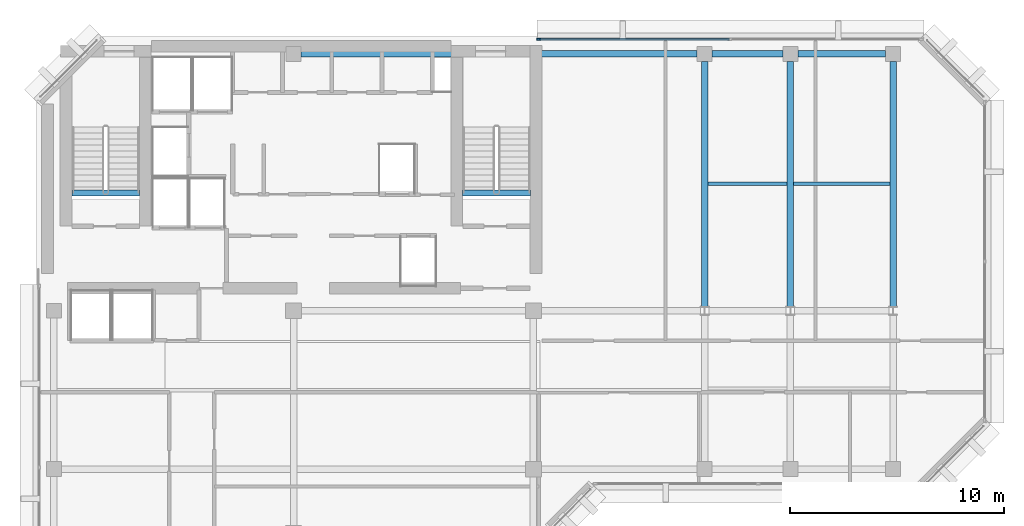
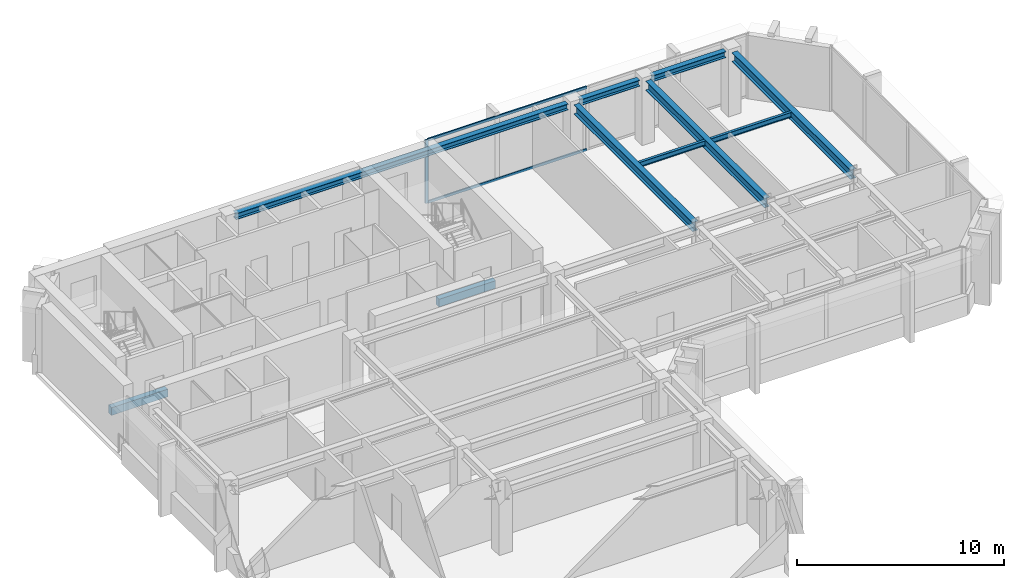
# One storey, part 4 of 12: 10 beams, 3 members, 1 element without a shape of its own.
"""IFC4 building model written with IfcOpenShell, lengths in metres."""

from ifc_helpers import new_model, si_unit, direction, frame, origin, origin_2d, place, context, subcontext, project, spatial, rectangle, i_section, extrude, material, layer, layer_set, material_profile, profile_set, type_object, element, aggregate, save


model = new_model("IFC4")

# Units and contexts
model_context = context("Model", 3, precision=1e-05, world=origin(), true_north=direction((0.0, 1.0)))
body_context = subcontext(model_context, "Body", "Model", "MODEL_VIEW")
ifc_project = project(units=[si_unit("LENGTHUNIT", "METRE"), si_unit("AREAUNIT", "SQUARE_METRE"), si_unit("VOLUMEUNIT", "CUBIC_METRE"), si_unit("PLANEANGLEUNIT", "RADIAN"), si_unit("MASSUNIT", "GRAM", prefix="KILO")], contexts=[model_context])

# Site, building, storey
site_placement = place(None, origin())
site = spatial("IfcSite", under=ifc_project, at=site_placement, CompositionType="ELEMENT")
building_placement = place(site_placement, origin())
building = spatial("IfcBuilding", under=site, at=building_placement, Name="Kefirva Bronze Tower", CompositionType="ELEMENT")
storey_placement = place(building_placement, frame((0.0, 0.0, 296.010009765625)))
storey = spatial("IfcBuildingStorey", under=building, at=storey_placement, Name="L72", CompositionType="ELEMENT", Elevation=296.010009765625)

# Curtain wall, members
ifc_material_1 = material(Name="Bronze anodised aluminium", Category="aluminium")
ifc_layer = layer(ifc_material_1, 0.179931640625, Name="Bronze anodised aluminium")
ifc_layer_set = layer_set([ifc_layer], Name="Bronze anodised aluminium")
curtain_wall_type = type_object("IfcCurtainWallType", Name="Unitised Bronze Ribbon Curtain Wall Zone 4", PredefinedType="USERDEFINED", material=ifc_layer_set)
curtain_wall_placement = place(storey_placement, origin())
curtain_wall = element("IfcCurtainWall", 1, at=curtain_wall_placement, inside=storey, type_object=curtain_wall_type, Name="L72 Curtain Wall 3", ObjectType="UNITISED CURTAIN WALL", PredefinedType="USERDEFINED")
ifc_material_profile_1 = material_profile(ifc_material_1, rectangle(XDim=0.074951171875, YDim=0.179931640625, at=origin_2d()), Name="ALU 75x180")
ifc_profile_set_1 = profile_set([ifc_material_profile_1], Name="Bronze anodised aluminium")
member_type_1 = type_object("IfcMemberType", Name="Bronze Mullion 75x180", PredefinedType="MULLION", material=ifc_profile_set_1)
member_1_placement = place(storey_placement, frame((23.4423828125, 45.8798828125, 0.0), z_axis=(0.0, 0.0, 1.0), x_axis=(0.0, -1.0, 0.0)))
member_1 = element("IfcMember", 2, at=member_1_placement, type_object=member_type_1, Name="CW-04 mullion 3", PredefinedType="MULLION", context=body_context, shape_type="SweptSolid", body=[
    extrude(rectangle(XDim=0.074951171875, YDim=0.179931640625, at=origin_2d()), origin(), (0.0, 0.0, 1.0), 3.739990234375),
])
ifc_material_profile_2 = material_profile(ifc_material_1, rectangle(XDim=0.074951171875, YDim=0.14990234375, at=origin_2d()), Name="ALU 75x150")
ifc_profile_set_2 = profile_set([ifc_material_profile_2], Name="Bronze anodised aluminium")
member_type_2 = type_object("IfcMemberType", Name="Bronze Transom 75x150", PredefinedType="USERDEFINED", material=ifc_profile_set_2)
member_2_placement = place(storey_placement, frame((32.33740234375, 45.8798828125, 0.03759765625), z_axis=(-1.0, 0.0, 0.0), x_axis=(0.0, -1.0, 0.0)))
member_2 = element("IfcMember", 3, at=member_2_placement, type_object=member_type_2, Name="CW-04 transom 2.1", ObjectType="TRANSOM", PredefinedType="USERDEFINED", context=body_context, shape_type="SweptSolid", body=[
    extrude(rectangle(XDim=0.074951171875, YDim=0.14990234375, at=origin_2d()), origin(), (0.0, 0.0, 1.0), 8.857421875),
])
member_3_placement = place(storey_placement, frame((32.33740234375, 45.8798828125, 3.702392578125), z_axis=(-1.0, 0.0, 0.0), x_axis=(0.0, -1.0, 0.0)))
member_3 = element("IfcMember", 4, at=member_3_placement, type_object=member_type_2, Name="CW-04 transom 2.2", ObjectType="TRANSOM", PredefinedType="USERDEFINED", context=body_context, shape_type="SweptSolid", body=[
    extrude(rectangle(XDim=0.074951171875, YDim=0.14990234375, at=origin_2d()), origin(), (0.0, 0.0, 1.0), 8.857421875),
])
aggregate(curtain_wall, [member_1, member_2, member_3])

# Beams
ifc_material_2 = material(Name="Concrete C50/60", Category="concrete")
ifc_material_profile_3 = material_profile(ifc_material_2, rectangle(XDim=0.300048828125, YDim=0.449951171875, at=origin_2d()), Name="RC 300x450")
ifc_profile_set_3 = profile_set([ifc_material_profile_3], Name="Concrete C50/60")
beam_type_1 = type_object("IfcBeamType", Name="RC Stair Trimmer Beam 300x450", PredefinedType="BEAM", material=ifc_profile_set_3)
beam_1_placement = place(storey_placement, frame((1.64501953125, 38.699951171875, -0.22509765625), z_axis=(1.0, 0.0, 0.0), x_axis=(0.0, 1.0, 0.0)))
element("IfcBeam", 5, at=beam_1_placement, inside=storey, type_object=beam_type_1, Name="L72 Stair 1 Landing Trimmer Beam", PredefinedType="BEAM", context=body_context, shape_type="SweptSolid", body=[
    extrude(rectangle(XDim=0.300048828125, YDim=0.449951171875, at=origin_2d()), origin(), (0.0, 0.0, 1.0), 3.14990234375),
])
beam_2_placement = place(storey_placement, frame((19.89501953125, 38.699951171875, -0.22509765625), z_axis=(1.0, 0.0, 0.0), x_axis=(0.0, 1.0, 0.0)))
element("IfcBeam", 6, at=beam_2_placement, inside=storey, type_object=beam_type_1, Name="L72 Stair 2 Landing Trimmer Beam", PredefinedType="BEAM", context=body_context, shape_type="SweptSolid", body=[
    extrude(rectangle(XDim=0.300048828125, YDim=0.449951171875, at=origin_2d()), origin(), (0.0, 0.0, 1.0), 3.159912109375),
])
ifc_material_3 = material(Name="Steel S355", Category="steel")
ifc_material_profile_4 = material_profile(ifc_material_3, i_section(OverallWidth=0.14990234375, OverallDepth=0.300048828125, WebThickness=0.007080078125, FlangeThickness=0.0107421875, at=origin_2d()), Name="IPE 300")
ifc_profile_set_4 = profile_set([ifc_material_profile_4], Name="Steel S355")
beam_type_2 = type_object("IfcBeamType", Name="Steel Floor Joist IPE 300", PredefinedType="JOIST", material=ifc_profile_set_4)
beam_3_placement = place(storey_placement, frame((31.35009765625, 39.12890625, 3.590087890625), z_axis=(1.0, 0.0, 0.0), x_axis=(0.0, 1.0, 0.0)))
element("IfcBeam", 7, at=beam_3_placement, inside=storey, type_object=beam_type_2, Name="L72 JST-L72-31-391", PredefinedType="JOIST", context=body_context, shape_type="SweptSolid", body=[
    extrude(i_section(OverallWidth=0.14990234375, OverallDepth=0.300048828125, WebThickness=0.007080078125, FlangeThickness=0.0107421875, at=origin_2d()), origin(), (0.0, 0.0, 1.0), 3.699951171875),
])
beam_4_placement = place(storey_placement, frame((35.35009765625, 39.12890625, 3.590087890625), z_axis=(1.0, 0.0, 0.0), x_axis=(0.0, 1.0, 0.0)))
element("IfcBeam", 8, at=beam_4_placement, inside=storey, type_object=beam_type_2, Name="L72 JST-L72-35-391", PredefinedType="JOIST", context=body_context, shape_type="SweptSolid", body=[
    extrude(i_section(OverallWidth=0.14990234375, OverallDepth=0.300048828125, WebThickness=0.007080078125, FlangeThickness=0.0107421875, at=origin_2d()), origin(), (0.0, 0.0, 1.0), 4.5),
])
ifc_material_profile_5 = material_profile(ifc_material_3, i_section(OverallWidth=0.300048828125, OverallDepth=0.550048828125, WebThickness=0.014892578125, FlangeThickness=0.029052734375, at=origin_2d()), Name="HEB 550")
ifc_profile_set_5 = profile_set([ifc_material_profile_5], Name="Steel S355")
beam_type_3 = type_object("IfcBeamType", Name="Steel Girder HEB 550", PredefinedType="USERDEFINED", material=ifc_profile_set_5)
for number, where, z_axis, x_axis, name in (
    (9, (31.199951171875, 33.407958984375, 3.465087890625), (0.0, 1.0, 0.0), (-1.0, 0.0, 0.0), "L72 BM-L72-NS-312-33"),
    (10, (35.199951171875, 33.407958984375, 3.465087890625), (0.0, 1.0, 0.0), (-1.0, 0.0, 0.0), "L72 BM-L72-NS-352-33"),
    (11, (40.0, 33.407958984375, 3.465087890625), (0.0, 1.0, 0.0), (-1.0, 0.0, 0.0), "L72 BM-L72-NS-400-33"),
):
    element("IfcBeam", number, at=place(storey_placement, frame(where, z_axis=z_axis, x_axis=x_axis)), inside=storey, type_object=beam_type_3, Name=name, ObjectType="GIRDER", PredefinedType="USERDEFINED", context=body_context, shape_type="SweptSolid", body=[
        extrude(i_section(OverallWidth=0.300048828125, OverallDepth=0.550048828125, WebThickness=0.014892578125, FlangeThickness=0.029052734375, at=origin_2d()), origin(), (0.0, 0.0, 1.0), 11.442138671875),
    ])
ifc_material_profile_6 = material_profile(ifc_material_3, i_section(OverallWidth=0.300048828125, OverallDepth=0.360107421875, WebThickness=0.012451171875, FlangeThickness=0.0224609375, at=origin_2d()), Name="HEB 360")
ifc_profile_set_6 = profile_set([ifc_material_profile_6], Name="Steel S355")
beam_type_4 = type_object("IfcBeamType", Name="Steel Spandrel HEB 360 Ext", PredefinedType="SPANDREL", material=ifc_profile_set_6)
beam_5_placement = place(storey_placement, frame((12.35009765625, 45.199951171875, 3.56005859375), z_axis=(1.0, 0.0, 0.0), x_axis=(0.0, 1.0, 0.0)))
element("IfcBeam", 12, at=beam_5_placement, inside=storey, type_object=beam_type_4, Name="L72 BM-L72-EW-12-452", PredefinedType="SPANDREL", context=body_context, shape_type="SweptSolid", body=[
    extrude(i_section(OverallWidth=0.300048828125, OverallDepth=0.360107421875, WebThickness=0.012451171875, FlangeThickness=0.0224609375, at=origin_2d()), origin(), (0.0, 0.0, 1.0), 18.5),
])
beam_6_placement = place(storey_placement, frame((31.550048828125, 45.199951171875, 3.56005859375), z_axis=(1.0, 0.0, 0.0), x_axis=(0.0, 1.0, 0.0)))
element("IfcBeam", 13, at=beam_6_placement, inside=storey, type_object=beam_type_4, Name="L72 BM-L72-EW-31-452", PredefinedType="SPANDREL", context=body_context, shape_type="SweptSolid", body=[
    extrude(i_section(OverallWidth=0.300048828125, OverallDepth=0.360107421875, WebThickness=0.012451171875, FlangeThickness=0.0224609375, at=origin_2d()), origin(), (0.0, 0.0, 1.0), 3.300048828125),
])
beam_7_placement = place(storey_placement, frame((35.550048828125, 45.199951171875, 3.56005859375), z_axis=(1.0, 0.0, 0.0), x_axis=(0.0, 1.0, 0.0)))
element("IfcBeam", 14, at=beam_7_placement, inside=storey, type_object=beam_type_4, Name="L72 BM-L72-EW-35-452", PredefinedType="SPANDREL", context=body_context, shape_type="SweptSolid", body=[
    extrude(i_section(OverallWidth=0.300048828125, OverallDepth=0.360107421875, WebThickness=0.012451171875, FlangeThickness=0.0224609375, at=origin_2d()), origin(), (0.0, 0.0, 1.0), 4.099853515625),
])

save(model, "model.ifc")
